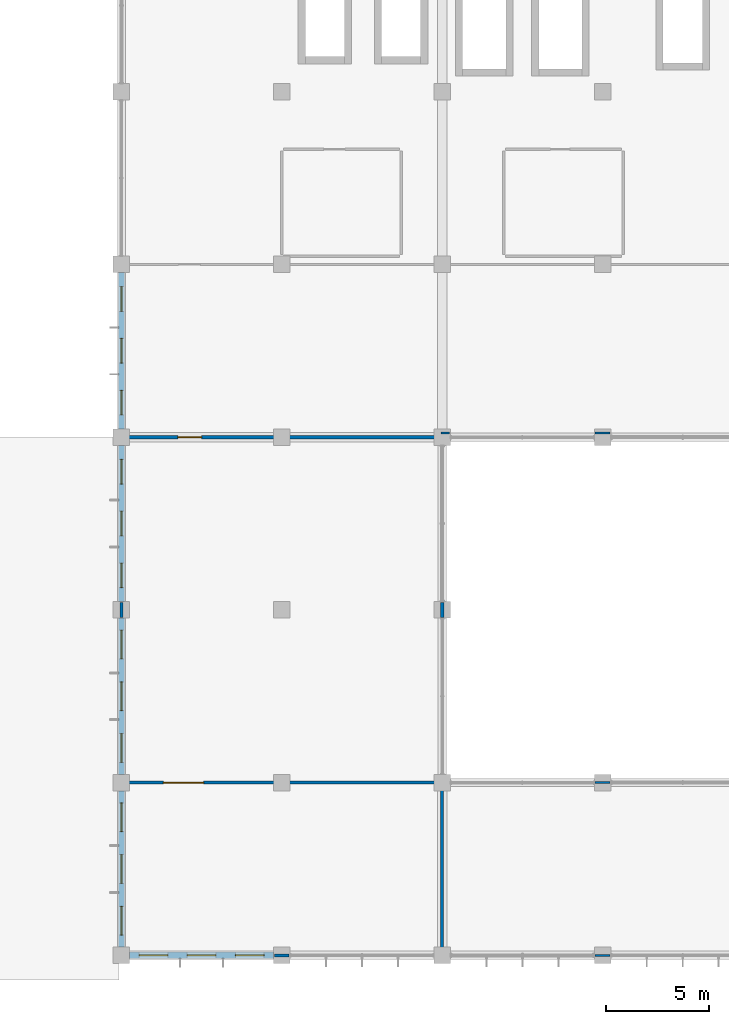
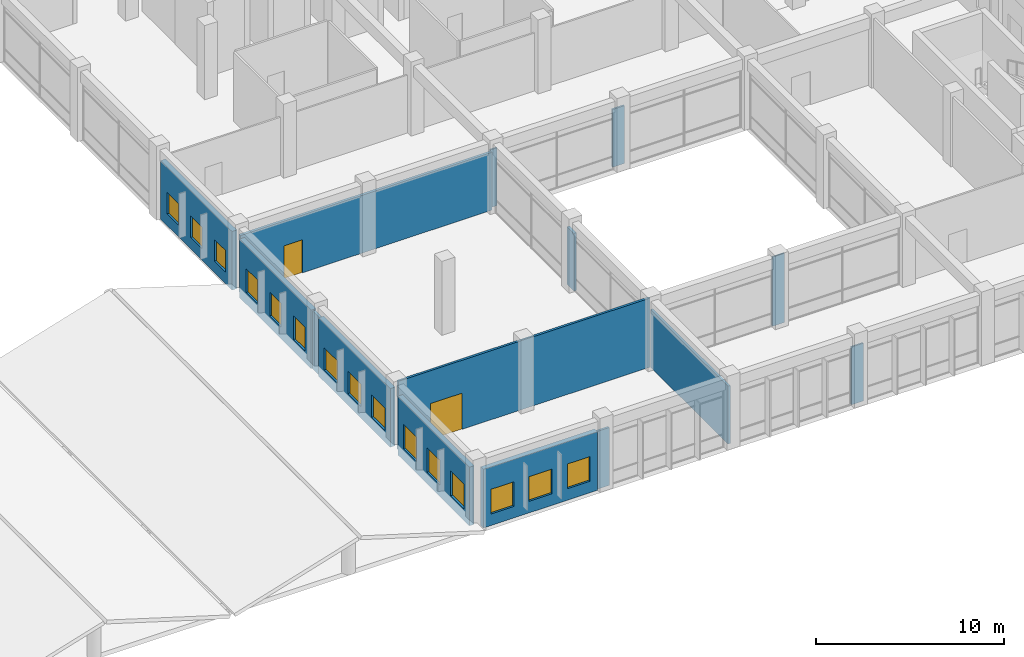
# One storey, part 42 of 62: 15 walls, 15 windows, 2 doors, 17 openings.
"""IFC4 building model written with IfcOpenShell, lengths in metres."""

from ifc_helpers import new_model, si_unit, direction, frame, frame_2d, origin, place, context, subcontext, project, spatial, rectangle, extrude, material, layer, layer_set, type_object, element, fill, save


model = new_model("IFC4")

# Units and contexts
model_context = context("Model", 3, precision=1e-05, world=origin(), true_north=direction((0.0, 1.0)))
body_context = subcontext(model_context, "Body", "Model", "MODEL_VIEW")
ifc_project = project(units=[si_unit("LENGTHUNIT", "METRE"), si_unit("AREAUNIT", "SQUARE_METRE"), si_unit("VOLUMEUNIT", "CUBIC_METRE"), si_unit("PLANEANGLEUNIT", "RADIAN"), si_unit("MASSUNIT", "GRAM", prefix="KILO"), si_unit("THERMODYNAMICTEMPERATUREUNIT", "KELVIN"), si_unit("POWERUNIT", "WATT")], contexts=[model_context])

# Site, building, storey
site_placement = place(None, origin())
site = spatial("IfcSite", under=ifc_project, at=site_placement, CompositionType="ELEMENT")
building_placement = place(site_placement, origin())
building = spatial("IfcBuilding", under=site, at=building_placement, Name="Srebrne Nadtorze General Hospital", CompositionType="ELEMENT")
storey_placement = place(building_placement, frame((0.0, 0.0, 9.60009765625)))
storey = spatial("IfcBuildingStorey", under=building, at=storey_placement, Name="L02", CompositionType="ELEMENT", Elevation=9.60009765625)

# Wall, opening, door
ifc_material_1 = material(Name="Gypsum Healthcare Partition")
ifc_layer_1 = layer(ifc_material_1, 0.139892578125)
ifc_layer_set_1 = layer_set([ifc_layer_1], Name="Gypsum Healthcare Partition")
wall_type_1 = type_object("IfcWallType", Name="Clinical partition 140", PredefinedType="PARTITIONING", material=ifc_layer_set_1)
wall_1_placement = place(storey_placement, frame((101.485107421875, 8.39990234375, 0.0), z_axis=(0.0, 0.0, 1.0), x_axis=(1.0, 0.0, 0.0)))
wall_1 = element("IfcWall", 1, at=wall_1_placement, inside=storey, type_object=wall_type_1, Name="Outpatient Orthopaedics Clinic wall WL-INT-L02-1550", PredefinedType="PARTITIONING", context=body_context, shape_type="SweptSolid", body=[
    extrude(rectangle(XDim=15.429931640625, YDim=0.139892578125, at=frame_2d((7.71484375, 0.0))), origin(), (0.0, 0.0, 1.0), 4.47998046875),
])
opening_1_placement = place(wall_1_placement, frame((1.9580078125, 0.0, 0.0)))
opening_1 = element("IfcOpeningElement", 2, at=opening_1_placement, cuts=wall_1, Name="Opening D-L02-0251", PredefinedType="OPENING", context=body_context, shape_type="SweptSolid", body=[
    extrude(rectangle(XDim=1.949951171875, YDim=2.35009765625, at=frame_2d((0.97509765625, 1.175048828125))), frame((0.0, 0.08203125, 0.0), z_axis=(0.0, -1.0, 0.0), x_axis=(1.0, 0.0, 0.0)), (0.0, 0.0, 1.0), 0.163818359375),
])
ifc_material_2 = material(Name="Anodised Aluminium", Category="aluminium")
door_type_1 = type_object("IfcDoorType", Name="Double leaf door 1950x2350", OperationType="DOUBLE_DOOR_SINGLE_SWING", PredefinedType="DOOR", material=ifc_material_2)
door_1_placement = place(opening_1_placement, frame((1.949951171875, 0.0, 0.0), z_axis=(0.0, 0.0, 1.0), x_axis=(-1.0, 0.0, 0.0)))
door_1 = element("IfcDoor", 3, at=door_1_placement, inside=storey, type_object=door_type_1, Name="Outpatient Orthopaedics Clinic door D-L02-0251", OperationType="DOUBLE_DOOR_SINGLE_SWING", OverallHeight=2.35009765625, OverallWidth=1.949951171875, PredefinedType="DOOR", context=body_context, shape_type="SweptSolid", body=[
    extrude(rectangle(XDim=1.949951171875, YDim=2.35009765625, at=frame_2d((0.97509765625, 1.175048828125))), frame((0.0, 0.02490234375, 0.0), z_axis=(0.0, -1.0, 0.0), x_axis=(1.0, 0.0, 0.0)), (0.0, 0.0, 1.0), 0.050048828125),
])
fill(opening_1, door_1)

# Walls
wall_2_placement = place(storey_placement, frame((108.840087890625, 0.0, 0.0), z_axis=(0.0, 0.0, 1.0), x_axis=(1.0, 0.0, 0.0)))
element("IfcWall", 4, at=wall_2_placement, inside=storey, type_object=wall_type_1, Name="Outpatient Orthopaedics Clinic wall WL-INT-L02-1551", PredefinedType="PARTITIONING", context=body_context, shape_type="SweptSolid", body=[
    extrude(rectangle(XDim=0.719970703125, YDim=0.139892578125, at=frame_2d((0.35986328125, 0.0))), origin(), (0.0, 0.0, 1.0), 3.75),
])
wall_3_placement = place(storey_placement, frame((117.0, 0.0849609375, 0.0), z_axis=(0.0, 0.0, 1.0), x_axis=(0.0, 1.0, 0.0)))
element("IfcWall", 5, at=wall_3_placement, inside=storey, type_object=wall_type_1, Name="Outpatient Orthopaedics Clinic wall WL-INT-L02-1552", PredefinedType="PARTITIONING", context=body_context, shape_type="SweptSolid", body=[
    extrude(rectangle(XDim=8.22998046875, YDim=0.139892578125, at=frame_2d((4.114990234375, 0.0))), origin(), (0.0, 0.0, 1.0), 3.75),
])

# Wall, opening, door
ifc_material_3 = material(Name="Gypsum Healthcare Partition")
ifc_layer_2 = layer(ifc_material_3, 0.159912109375)
ifc_layer_set_2 = layer_set([ifc_layer_2], Name="Gypsum Healthcare Partition")
wall_type_2 = type_object("IfcWallType", Name="Clinical partition 160", PredefinedType="PARTITIONING", material=ifc_layer_set_2)
wall_4_placement = place(storey_placement, frame((101.485107421875, 25.199951171875, 0.0), z_axis=(0.0, 0.0, 1.0), x_axis=(1.0, 0.0, 0.0)))
wall_4 = element("IfcWall", 6, at=wall_4_placement, inside=storey, type_object=wall_type_2, Name="Outpatient Obstetrics and Antenatal Clinic wall WL-INT-L02-1558", PredefinedType="PARTITIONING", context=body_context, shape_type="SweptSolid", body=[
    extrude(rectangle(XDim=15.429931640625, YDim=0.159912109375, at=frame_2d((7.71484375, 0.0))), origin(), (0.0, 0.0, 1.0), 3.75),
])
opening_2_placement = place(wall_4_placement, frame((2.66162109375, 0.0, 0.0)))
opening_2 = element("IfcOpeningElement", 7, at=opening_2_placement, cuts=wall_4, Name="Opening D-L02-0253", PredefinedType="OPENING", context=body_context, shape_type="SweptSolid", body=[
    extrude(rectangle(XDim=1.14990234375, YDim=2.14990234375, at=frame_2d((0.574951171875, 1.074951171875))), frame((0.0, 0.091796875, 0.0), z_axis=(0.0, -1.0, 0.0), x_axis=(1.0, 0.0, 0.0)), (0.0, 0.0, 1.0), 0.183837890625),
])
ifc_material_4 = material(Name="Anodised Aluminium", Category="aluminium")
door_type_2 = type_object("IfcDoorType", Name="Single leaf door 1150x2150", OperationType="NOTDEFINED", PredefinedType="DOOR", material=ifc_material_4)
door_2_placement = place(opening_2_placement, frame((1.14990234375, 0.0, 0.0), z_axis=(0.0, 0.0, 1.0), x_axis=(-1.0, 0.0, 0.0)))
door_2 = element("IfcDoor", 8, at=door_2_placement, inside=storey, type_object=door_type_2, Name="Outpatient Obstetrics and Antenatal Clinic door D-L02-0253", OperationType="SINGLE_SWING_RIGHT", OverallHeight=2.14990234375, OverallWidth=1.14990234375, PredefinedType="DOOR", context=body_context, shape_type="SweptSolid", body=[
    extrude(rectangle(XDim=1.14990234375, YDim=2.14990234375, at=frame_2d((0.574951171875, 1.074951171875))), frame((0.0, 0.02490234375, 0.0), z_axis=(0.0, -1.0, 0.0), x_axis=(1.0, 0.0, 0.0)), (0.0, 0.0, 1.0), 0.050048828125),
])
fill(opening_2, door_2)

# Walls
for number, where, z_axis, x_axis, name in (
    (9, (101.39990234375, 16.43994140625, 0.0), (0.0, 0.0, 1.0), (0.0, 1.0, 0.0), "Outpatient Obstetrics and Antenatal Clinic wall WL-INT-L02-1559"),
    (10, (117.0, 16.43994140625, 0.0), (0.0, 0.0, 1.0), (0.0, 1.0, 0.0), "Outpatient Obstetrics and Antenatal Clinic wall WL-INT-L02-1560"),
):
    element("IfcWall", number, at=place(storey_placement, frame(where, z_axis=z_axis, x_axis=x_axis)), inside=storey, type_object=wall_type_2, Name=name, PredefinedType="PARTITIONING", context=body_context, shape_type="SweptSolid", body=[
        extrude(rectangle(XDim=0.719970703125, YDim=0.159912109375, at=frame_2d((0.35986328125, 0.0))), origin(), (0.0, 0.0, 1.0), 3.75),
    ])

# Wall, openings, windows
ifc_material_5 = material(Name="Concrete C40/50 precast", Category="concrete")
ifc_layer_3 = layer(ifc_material_5, 0.300048828125)
ifc_layer_set_3 = layer_set([ifc_layer_3], Name="Concrete C40/50 precast")
wall_type_3 = type_object("IfcWallType", Name="Limestone precast wall 300", PredefinedType="STANDARD", material=ifc_layer_set_3)
wall_5_placement = place(storey_placement, frame((101.800048828125, 0.0, 0.0), z_axis=(0.0, 0.0, 1.0), x_axis=(1.0, 0.0, 0.0)))
wall_5 = element("IfcWall", 11, at=wall_5_placement, inside=storey, type_object=wall_type_3, Name="Exterior wall WL-ENV-L02-0218", PredefinedType="STANDARD", context=body_context, shape_type="SweptSolid", body=[
    extrude(rectangle(XDim=7.0, YDim=0.300048828125, at=frame_2d((3.5, 0.0))), origin(), (0.0, 0.0, 1.0), 3.7998046875),
])
opening_3_placement = place(wall_5_placement, frame((0.4599609375, 0.0, 0.75)))
opening_3 = element("IfcOpeningElement", 12, at=opening_3_placement, cuts=wall_5, Name="Opening WN-L02-0258", PredefinedType="OPENING", context=body_context, shape_type="SweptSolid", body=[
    extrude(rectangle(XDim=1.39990234375, YDim=1.60009765625, at=frame_2d((0.699951171875, 0.800048828125))), frame((0.0, 0.162109375, 0.0), z_axis=(0.0, -1.0, 0.0), x_axis=(1.0, 0.0, 0.0)), (0.0, 0.0, 1.0), 0.323974609375),
])
opening_4_placement = place(wall_5_placement, frame((2.800048828125, 0.0, 0.75)))
opening_4 = element("IfcOpeningElement", 13, at=opening_4_placement, cuts=wall_5, Name="Opening WN-L02-0259", PredefinedType="OPENING", context=body_context, shape_type="SweptSolid", body=[
    extrude(rectangle(XDim=1.39990234375, YDim=1.60009765625, at=frame_2d((0.699951171875, 0.800048828125))), frame((0.0, 0.162109375, 0.0), z_axis=(0.0, -1.0, 0.0), x_axis=(1.0, 0.0, 0.0)), (0.0, 0.0, 1.0), 0.323974609375),
])
opening_5_placement = place(wall_5_placement, frame((5.139892578125, 0.0, 0.75)))
opening_5 = element("IfcOpeningElement", 14, at=opening_5_placement, cuts=wall_5, Name="Opening WN-L02-0260", PredefinedType="OPENING", context=body_context, shape_type="SweptSolid", body=[
    extrude(rectangle(XDim=1.39990234375, YDim=1.60009765625, at=frame_2d((0.699951171875, 0.800048828125))), frame((0.0, 0.162109375, 0.0), z_axis=(0.0, -1.0, 0.0), x_axis=(1.0, 0.0, 0.0)), (0.0, 0.0, 1.0), 0.323974609375),
])
ifc_material_6 = material(Name="Triple Low-E Glazing", Category="glass")
window_type_1 = type_object("IfcWindowType", Name="Punched clinical window 1400x1600", PartitioningType="SINGLE_PANEL", PredefinedType="WINDOW", material=ifc_material_6)
window_1_placement = place(opening_3_placement, origin())
window_1 = element("IfcWindow", 15, at=window_1_placement, inside=storey, type_object=window_type_1, Name="Clinical window WN-L02-0258", OverallHeight=1.60009765625, OverallWidth=1.39990234375, PartitioningType="SINGLE_PANEL", PredefinedType="WINDOW", context=body_context, shape_type="SweptSolid", body=[
    extrude(rectangle(XDim=1.39990234375, YDim=1.60009765625, at=frame_2d((0.699951171875, 0.800048828125))), frame((0.0, 0.030029296875, 0.0), z_axis=(0.0, -1.0, 0.0), x_axis=(1.0, 0.0, 0.0)), (0.0, 0.0, 1.0), 0.06005859375),
])
fill(opening_3, window_1)
window_2_placement = place(opening_4_placement, origin())
window_2 = element("IfcWindow", 16, at=window_2_placement, inside=storey, type_object=window_type_1, Name="Clinical window WN-L02-0259", OverallHeight=1.60009765625, OverallWidth=1.39990234375, PartitioningType="SINGLE_PANEL", PredefinedType="WINDOW", context=body_context, shape_type="SweptSolid", body=[
    extrude(rectangle(XDim=1.39990234375, YDim=1.60009765625, at=frame_2d((0.699951171875, 0.800048828125))), frame((0.0, 0.030029296875, 0.0), z_axis=(0.0, -1.0, 0.0), x_axis=(1.0, 0.0, 0.0)), (0.0, 0.0, 1.0), 0.06005859375),
])
fill(opening_4, window_2)
window_3_placement = place(opening_5_placement, origin())
window_3 = element("IfcWindow", 17, at=window_3_placement, inside=storey, type_object=window_type_1, Name="Clinical window WN-L02-0260", OverallHeight=1.60009765625, OverallWidth=1.39990234375, PartitioningType="SINGLE_PANEL", PredefinedType="WINDOW", context=body_context, shape_type="SweptSolid", body=[
    extrude(rectangle(XDim=1.39990234375, YDim=1.60009765625, at=frame_2d((0.699951171875, 0.800048828125))), frame((0.0, 0.030029296875, 0.0), z_axis=(0.0, -1.0, 0.0), x_axis=(1.0, 0.0, 0.0)), (0.0, 0.0, 1.0), 0.06005859375),
])
fill(opening_5, window_3)

wall_6_placement = place(storey_placement, frame((101.39990234375, 0.39990234375, 0.0), z_axis=(0.0, 0.0, 1.0), x_axis=(0.0, 1.0, 0.0)))
wall_6 = element("IfcWall", 18, at=wall_6_placement, inside=storey, type_object=wall_type_3, Name="Exterior wall WL-ENV-L02-0263", PredefinedType="STANDARD", context=body_context, shape_type="SweptSolid", body=[
    extrude(rectangle(XDim=7.60009765625, YDim=0.300048828125, at=frame_2d((3.800048828125, 0.0))), origin(), (0.0, 0.0, 1.0), 3.7998046875),
])
opening_6_placement = place(wall_6_placement, frame((0.580078125, 0.0, 0.75)))
opening_6 = element("IfcOpeningElement", 19, at=opening_6_placement, cuts=wall_6, Name="Opening WN-L02-0340", PredefinedType="OPENING", context=body_context, shape_type="SweptSolid", body=[
    extrude(rectangle(XDim=1.39990234375, YDim=1.60009765625, at=frame_2d((0.699951171875, 0.800048828125))), frame((0.0, 0.162109375, 0.0), z_axis=(0.0, -1.0, 0.0), x_axis=(1.0, 0.0, 0.0)), (0.0, 0.0, 1.0), 0.323974609375),
])
opening_7_placement = place(wall_6_placement, frame((3.10009765625, 0.0, 0.75)))
opening_7 = element("IfcOpeningElement", 20, at=opening_7_placement, cuts=wall_6, Name="Opening WN-L02-0341", PredefinedType="OPENING", context=body_context, shape_type="SweptSolid", body=[
    extrude(rectangle(XDim=1.39990234375, YDim=1.60009765625, at=frame_2d((0.699951171875, 0.800048828125))), frame((0.0, 0.162109375, 0.0), z_axis=(0.0, -1.0, 0.0), x_axis=(1.0, 0.0, 0.0)), (0.0, 0.0, 1.0), 0.323974609375),
])
opening_8_placement = place(wall_6_placement, frame((5.6201171875, 0.0, 0.75)))
opening_8 = element("IfcOpeningElement", 21, at=opening_8_placement, cuts=wall_6, Name="Opening WN-L02-0342", PredefinedType="OPENING", context=body_context, shape_type="SweptSolid", body=[
    extrude(rectangle(XDim=1.39990234375, YDim=1.60009765625, at=frame_2d((0.699951171875, 0.800048828125))), frame((0.0, 0.162109375, 0.0), z_axis=(0.0, -1.0, 0.0), x_axis=(1.0, 0.0, 0.0)), (0.0, 0.0, 1.0), 0.323974609375),
])
window_4_placement = place(opening_6_placement, origin())
window_4 = element("IfcWindow", 22, at=window_4_placement, inside=storey, type_object=window_type_1, Name="Clinical window WN-L02-0340", OverallHeight=1.60009765625, OverallWidth=1.39990234375, PartitioningType="SINGLE_PANEL", PredefinedType="WINDOW", context=body_context, shape_type="SweptSolid", body=[
    extrude(rectangle(XDim=1.39990234375, YDim=1.60009765625, at=frame_2d((0.699951171875, 0.800048828125))), frame((0.0, 0.030029296875, 0.0), z_axis=(0.0, -1.0, 0.0), x_axis=(1.0, 0.0, 0.0)), (0.0, 0.0, 1.0), 0.06005859375),
])
fill(opening_6, window_4)
window_5_placement = place(opening_7_placement, origin())
window_5 = element("IfcWindow", 23, at=window_5_placement, inside=storey, type_object=window_type_1, Name="Clinical window WN-L02-0341", OverallHeight=1.60009765625, OverallWidth=1.39990234375, PartitioningType="SINGLE_PANEL", PredefinedType="WINDOW", context=body_context, shape_type="SweptSolid", body=[
    extrude(rectangle(XDim=1.39990234375, YDim=1.60009765625, at=frame_2d((0.699951171875, 0.800048828125))), frame((0.0, 0.030029296875, 0.0), z_axis=(0.0, -1.0, 0.0), x_axis=(1.0, 0.0, 0.0)), (0.0, 0.0, 1.0), 0.06005859375),
])
fill(opening_7, window_5)
window_6_placement = place(opening_8_placement, origin())
window_6 = element("IfcWindow", 24, at=window_6_placement, inside=storey, type_object=window_type_1, Name="Clinical window WN-L02-0342", OverallHeight=1.60009765625, OverallWidth=1.39990234375, PartitioningType="SINGLE_PANEL", PredefinedType="WINDOW", context=body_context, shape_type="SweptSolid", body=[
    extrude(rectangle(XDim=1.39990234375, YDim=1.60009765625, at=frame_2d((0.699951171875, 0.800048828125))), frame((0.0, 0.030029296875, 0.0), z_axis=(0.0, -1.0, 0.0), x_axis=(1.0, 0.0, 0.0)), (0.0, 0.0, 1.0), 0.06005859375),
])
fill(opening_8, window_6)

wall_7_placement = place(storey_placement, frame((101.39990234375, 8.800048828125, 0.0), z_axis=(0.0, 0.0, 1.0), x_axis=(0.0, 1.0, 0.0)))
wall_7 = element("IfcWall", 25, at=wall_7_placement, inside=storey, type_object=wall_type_3, Name="Exterior wall WL-ENV-L02-0264", PredefinedType="STANDARD", context=body_context, shape_type="SweptSolid", body=[
    extrude(rectangle(XDim=7.599853515625, YDim=0.300048828125, at=frame_2d((3.7998046875, 0.0))), origin(), (0.0, 0.0, 1.0), 3.7998046875),
])
opening_9_placement = place(wall_7_placement, frame((0.580078125, 0.0, 0.75)))
opening_9 = element("IfcOpeningElement", 26, at=opening_9_placement, cuts=wall_7, Name="Opening WN-L02-0343", PredefinedType="OPENING", context=body_context, shape_type="SweptSolid", body=[
    extrude(rectangle(XDim=1.39990234375, YDim=1.449951171875, at=frame_2d((0.699951171875, 0.72509765625))), frame((0.0, 0.162109375, 0.0), z_axis=(0.0, -1.0, 0.0), x_axis=(1.0, 0.0, 0.0)), (0.0, 0.0, 1.0), 0.323974609375),
])
opening_10_placement = place(wall_7_placement, frame((3.10009765625, 0.0, 0.75)))
opening_10 = element("IfcOpeningElement", 27, at=opening_10_placement, cuts=wall_7, Name="Opening WN-L02-0344", PredefinedType="OPENING", context=body_context, shape_type="SweptSolid", body=[
    extrude(rectangle(XDim=1.39990234375, YDim=1.449951171875, at=frame_2d((0.699951171875, 0.72509765625))), frame((0.0, 0.162109375, 0.0), z_axis=(0.0, -1.0, 0.0), x_axis=(1.0, 0.0, 0.0)), (0.0, 0.0, 1.0), 0.323974609375),
])
opening_11_placement = place(wall_7_placement, frame((5.6201171875, 0.0, 0.75)))
opening_11 = element("IfcOpeningElement", 28, at=opening_11_placement, cuts=wall_7, Name="Opening WN-L02-0345", PredefinedType="OPENING", context=body_context, shape_type="SweptSolid", body=[
    extrude(rectangle(XDim=1.39990234375, YDim=1.449951171875, at=frame_2d((0.699951171875, 0.72509765625))), frame((0.0, 0.162109375, 0.0), z_axis=(0.0, -1.0, 0.0), x_axis=(1.0, 0.0, 0.0)), (0.0, 0.0, 1.0), 0.323974609375),
])
ifc_material_7 = material(Name="Triple Low-E Glazing", Category="glass")
window_type_2 = type_object("IfcWindowType", Name="Punched clinical window 1400x1450", PartitioningType="SINGLE_PANEL", PredefinedType="WINDOW", material=ifc_material_7)
window_7_placement = place(opening_9_placement, origin())
window_7 = element("IfcWindow", 29, at=window_7_placement, inside=storey, type_object=window_type_2, Name="Clinical window WN-L02-0343", OverallHeight=1.449951171875, OverallWidth=1.39990234375, PartitioningType="SINGLE_PANEL", PredefinedType="WINDOW", context=body_context, shape_type="SweptSolid", body=[
    extrude(rectangle(XDim=1.39990234375, YDim=1.449951171875, at=frame_2d((0.699951171875, 0.72509765625))), frame((0.0, 0.030029296875, 0.0), z_axis=(0.0, -1.0, 0.0), x_axis=(1.0, 0.0, 0.0)), (0.0, 0.0, 1.0), 0.06005859375),
])
fill(opening_9, window_7)
window_8_placement = place(opening_10_placement, origin())
window_8 = element("IfcWindow", 30, at=window_8_placement, inside=storey, type_object=window_type_2, Name="Clinical window WN-L02-0344", OverallHeight=1.449951171875, OverallWidth=1.39990234375, PartitioningType="SINGLE_PANEL", PredefinedType="WINDOW", context=body_context, shape_type="SweptSolid", body=[
    extrude(rectangle(XDim=1.39990234375, YDim=1.449951171875, at=frame_2d((0.699951171875, 0.72509765625))), frame((0.0, 0.030029296875, 0.0), z_axis=(0.0, -1.0, 0.0), x_axis=(1.0, 0.0, 0.0)), (0.0, 0.0, 1.0), 0.06005859375),
])
fill(opening_10, window_8)
window_9_placement = place(opening_11_placement, origin())
window_9 = element("IfcWindow", 31, at=window_9_placement, inside=storey, type_object=window_type_2, Name="Clinical window WN-L02-0345", OverallHeight=1.449951171875, OverallWidth=1.39990234375, PartitioningType="SINGLE_PANEL", PredefinedType="WINDOW", context=body_context, shape_type="SweptSolid", body=[
    extrude(rectangle(XDim=1.39990234375, YDim=1.449951171875, at=frame_2d((0.699951171875, 0.72509765625))), frame((0.0, 0.030029296875, 0.0), z_axis=(0.0, -1.0, 0.0), x_axis=(1.0, 0.0, 0.0)), (0.0, 0.0, 1.0), 0.06005859375),
])
fill(opening_11, window_9)

wall_8_placement = place(storey_placement, frame((101.39990234375, 17.199951171875, 0.0), z_axis=(0.0, 0.0, 1.0), x_axis=(0.0, 1.0, 0.0)))
wall_8 = element("IfcWall", 32, at=wall_8_placement, inside=storey, type_object=wall_type_3, Name="Exterior wall WL-ENV-L02-0265", PredefinedType="STANDARD", context=body_context, shape_type="SweptSolid", body=[
    extrude(rectangle(XDim=7.60009765625, YDim=0.300048828125, at=frame_2d((3.800048828125, 0.0))), origin(), (0.0, 0.0, 1.0), 3.7998046875),
])
opening_12_placement = place(wall_8_placement, frame((0.679931640625, 0.0, 0.75)))
opening_12 = element("IfcOpeningElement", 33, at=opening_12_placement, cuts=wall_8, Name="Opening WN-L02-0346", PredefinedType="OPENING", context=body_context, shape_type="SweptSolid", body=[
    extrude(rectangle(XDim=1.199951171875, YDim=1.550048828125, at=frame_2d((0.60009765625, 0.77490234375))), frame((0.0, 0.162109375, 0.0), z_axis=(0.0, -1.0, 0.0), x_axis=(1.0, 0.0, 0.0)), (0.0, 0.0, 1.0), 0.323974609375),
])
opening_13_placement = place(wall_8_placement, frame((3.199951171875, 0.0, 0.75)))
opening_13 = element("IfcOpeningElement", 34, at=opening_13_placement, cuts=wall_8, Name="Opening WN-L02-0347", PredefinedType="OPENING", context=body_context, shape_type="SweptSolid", body=[
    extrude(rectangle(XDim=1.199951171875, YDim=1.550048828125, at=frame_2d((0.60009765625, 0.77490234375))), frame((0.0, 0.162109375, 0.0), z_axis=(0.0, -1.0, 0.0), x_axis=(1.0, 0.0, 0.0)), (0.0, 0.0, 1.0), 0.323974609375),
])
opening_14_placement = place(wall_8_placement, frame((5.719970703125, 0.0, 0.75)))
opening_14 = element("IfcOpeningElement", 35, at=opening_14_placement, cuts=wall_8, Name="Opening WN-L02-0348", PredefinedType="OPENING", context=body_context, shape_type="SweptSolid", body=[
    extrude(rectangle(XDim=1.199951171875, YDim=1.550048828125, at=frame_2d((0.60009765625, 0.77490234375))), frame((0.0, 0.162109375, 0.0), z_axis=(0.0, -1.0, 0.0), x_axis=(1.0, 0.0, 0.0)), (0.0, 0.0, 1.0), 0.323974609375),
])
ifc_material_8 = material(Name="Triple Low-E Glazing", Category="glass")
window_type_3 = type_object("IfcWindowType", Name="Punched clinical window 1200x1550", PartitioningType="SINGLE_PANEL", PredefinedType="WINDOW", material=ifc_material_8)
window_10_placement = place(opening_12_placement, origin())
window_10 = element("IfcWindow", 36, at=window_10_placement, inside=storey, type_object=window_type_3, Name="Clinical window WN-L02-0346", OverallHeight=1.550048828125, OverallWidth=1.199951171875, PartitioningType="SINGLE_PANEL", PredefinedType="WINDOW", context=body_context, shape_type="SweptSolid", body=[
    extrude(rectangle(XDim=1.199951171875, YDim=1.550048828125, at=frame_2d((0.60009765625, 0.77490234375))), frame((0.0, 0.030029296875, 0.0), z_axis=(0.0, -1.0, 0.0), x_axis=(1.0, 0.0, 0.0)), (0.0, 0.0, 1.0), 0.06005859375),
])
fill(opening_12, window_10)
window_11_placement = place(opening_13_placement, origin())
window_11 = element("IfcWindow", 37, at=window_11_placement, inside=storey, type_object=window_type_3, Name="Clinical window WN-L02-0347", OverallHeight=1.550048828125, OverallWidth=1.199951171875, PartitioningType="SINGLE_PANEL", PredefinedType="WINDOW", context=body_context, shape_type="SweptSolid", body=[
    extrude(rectangle(XDim=1.199951171875, YDim=1.550048828125, at=frame_2d((0.60009765625, 0.77490234375))), frame((0.0, 0.030029296875, 0.0), z_axis=(0.0, -1.0, 0.0), x_axis=(1.0, 0.0, 0.0)), (0.0, 0.0, 1.0), 0.06005859375),
])
fill(opening_13, window_11)
window_12_placement = place(opening_14_placement, origin())
window_12 = element("IfcWindow", 38, at=window_12_placement, inside=storey, type_object=window_type_3, Name="Clinical window WN-L02-0348", OverallHeight=1.550048828125, OverallWidth=1.199951171875, PartitioningType="SINGLE_PANEL", PredefinedType="WINDOW", context=body_context, shape_type="SweptSolid", body=[
    extrude(rectangle(XDim=1.199951171875, YDim=1.550048828125, at=frame_2d((0.60009765625, 0.77490234375))), frame((0.0, 0.030029296875, 0.0), z_axis=(0.0, -1.0, 0.0), x_axis=(1.0, 0.0, 0.0)), (0.0, 0.0, 1.0), 0.06005859375),
])
fill(opening_14, window_12)

wall_9_placement = place(storey_placement, frame((101.39990234375, 25.60009765625, 0.0), z_axis=(0.0, 0.0, 1.0), x_axis=(0.0, 1.0, 0.0)))
wall_9 = element("IfcWall", 39, at=wall_9_placement, inside=storey, type_object=wall_type_3, Name="Exterior wall WL-ENV-L02-0266", PredefinedType="STANDARD", context=body_context, shape_type="SweptSolid", body=[
    extrude(rectangle(XDim=7.599853515625, YDim=0.300048828125, at=frame_2d((3.7998046875, 0.0))), origin(), (0.0, 0.0, 1.0), 3.7998046875),
])
opening_15_placement = place(wall_9_placement, frame((0.679931640625, 0.0, 0.75)))
opening_15 = element("IfcOpeningElement", 40, at=opening_15_placement, cuts=wall_9, Name="Opening WN-L02-0349", PredefinedType="OPENING", context=body_context, shape_type="SweptSolid", body=[
    extrude(rectangle(XDim=1.199951171875, YDim=1.39990234375, at=frame_2d((0.60009765625, 0.699951171875))), frame((0.0, 0.162109375, 0.0), z_axis=(0.0, -1.0, 0.0), x_axis=(1.0, 0.0, 0.0)), (0.0, 0.0, 1.0), 0.323974609375),
])
opening_16_placement = place(wall_9_placement, frame((3.199951171875, 0.0, 0.75)))
opening_16 = element("IfcOpeningElement", 41, at=opening_16_placement, cuts=wall_9, Name="Opening WN-L02-0350", PredefinedType="OPENING", context=body_context, shape_type="SweptSolid", body=[
    extrude(rectangle(XDim=1.199951171875, YDim=1.39990234375, at=frame_2d((0.60009765625, 0.699951171875))), frame((0.0, 0.162109375, 0.0), z_axis=(0.0, -1.0, 0.0), x_axis=(1.0, 0.0, 0.0)), (0.0, 0.0, 1.0), 0.323974609375),
])
opening_17_placement = place(wall_9_placement, frame((5.719970703125, 0.0, 0.75)))
opening_17 = element("IfcOpeningElement", 42, at=opening_17_placement, cuts=wall_9, Name="Opening WN-L02-0351", PredefinedType="OPENING", context=body_context, shape_type="SweptSolid", body=[
    extrude(rectangle(XDim=1.199951171875, YDim=1.39990234375, at=frame_2d((0.60009765625, 0.699951171875))), frame((0.0, 0.162109375, 0.0), z_axis=(0.0, -1.0, 0.0), x_axis=(1.0, 0.0, 0.0)), (0.0, 0.0, 1.0), 0.323974609375),
])
ifc_material_9 = material(Name="Triple Low-E Glazing", Category="glass")
window_type_4 = type_object("IfcWindowType", Name="Punched clinical window 1200x1400", PartitioningType="SINGLE_PANEL", PredefinedType="WINDOW", material=ifc_material_9)
window_13_placement = place(opening_15_placement, origin())
window_13 = element("IfcWindow", 43, at=window_13_placement, inside=storey, type_object=window_type_4, Name="Clinical window WN-L02-0349", OverallHeight=1.39990234375, OverallWidth=1.199951171875, PartitioningType="SINGLE_PANEL", PredefinedType="WINDOW", context=body_context, shape_type="SweptSolid", body=[
    extrude(rectangle(XDim=1.199951171875, YDim=1.39990234375, at=frame_2d((0.60009765625, 0.699951171875))), frame((0.0, 0.030029296875, 0.0), z_axis=(0.0, -1.0, 0.0), x_axis=(1.0, 0.0, 0.0)), (0.0, 0.0, 1.0), 0.06005859375),
])
fill(opening_15, window_13)
window_14_placement = place(opening_16_placement, origin())
window_14 = element("IfcWindow", 44, at=window_14_placement, inside=storey, type_object=window_type_4, Name="Clinical window WN-L02-0350", OverallHeight=1.39990234375, OverallWidth=1.199951171875, PartitioningType="SINGLE_PANEL", PredefinedType="WINDOW", context=body_context, shape_type="SweptSolid", body=[
    extrude(rectangle(XDim=1.199951171875, YDim=1.39990234375, at=frame_2d((0.60009765625, 0.699951171875))), frame((0.0, 0.030029296875, 0.0), z_axis=(0.0, -1.0, 0.0), x_axis=(1.0, 0.0, 0.0)), (0.0, 0.0, 1.0), 0.06005859375),
])
fill(opening_16, window_14)
window_15_placement = place(opening_17_placement, origin())
window_15 = element("IfcWindow", 45, at=window_15_placement, inside=storey, type_object=window_type_4, Name="Clinical window WN-L02-0351", OverallHeight=1.39990234375, OverallWidth=1.199951171875, PartitioningType="SINGLE_PANEL", PredefinedType="WINDOW", context=body_context, shape_type="SweptSolid", body=[
    extrude(rectangle(XDim=1.199951171875, YDim=1.39990234375, at=frame_2d((0.60009765625, 0.699951171875))), frame((0.0, 0.030029296875, 0.0), z_axis=(0.0, -1.0, 0.0), x_axis=(1.0, 0.0, 0.0)), (0.0, 0.0, 1.0), 0.06005859375),
])
fill(opening_17, window_15)

# Walls
ifc_material_10 = material(Name="Gypsum Healthcare Partition")
ifc_layer_4 = layer(ifc_material_10, 0.10009765625)
ifc_layer_set_4 = layer_set([ifc_layer_4], Name="Gypsum Healthcare Partition")
wall_type_4 = type_object("IfcWallType", Name="Shaft lining wall 100", PredefinedType="PARTITIONING", material=ifc_layer_set_4)
wall_10_placement = place(storey_placement, frame((124.43994140625, 8.39990234375, 0.0), z_axis=(0.0, 0.0, 1.0), x_axis=(1.0, 0.0, 0.0)))
element("IfcWall", 46, at=wall_10_placement, inside=storey, type_object=wall_type_4, Name="Outpatient Paediatrics Clinic wall WL-INT-L02-1553", PredefinedType="PARTITIONING", context=body_context, shape_type="SweptSolid", body=[
    extrude(rectangle(XDim=0.719970703125, YDim=0.10009765625, at=frame_2d((0.35986328125, 0.0))), origin(), (0.0, 0.0, 1.0), 4.47998046875),
])
wall_11_placement = place(storey_placement, frame((124.43994140625, 0.0, 0.0), z_axis=(0.0, 0.0, 1.0), x_axis=(1.0, 0.0, 0.0)))
element("IfcWall", 47, at=wall_11_placement, inside=storey, type_object=wall_type_4, Name="Outpatient Paediatrics Clinic wall WL-INT-L02-1555", PredefinedType="PARTITIONING", context=body_context, shape_type="SweptSolid", body=[
    extrude(rectangle(XDim=0.719970703125, YDim=0.10009765625, at=frame_2d((0.35986328125, 0.0))), origin(), (0.0, 0.0, 1.0), 3.75),
])
wall_12_placement = place(storey_placement, frame((116.955078125, 25.39990234375, 0.0), z_axis=(0.0, 0.0, 1.0), x_axis=(1.0, 0.0, 0.0)))
element("IfcWall", 48, at=wall_12_placement, inside=storey, type_object=wall_type_4, Name="Outpatient Maternal Fetal Medicine Clinic wall WL-INT-L02-1564", PredefinedType="PARTITIONING", context=body_context, shape_type="SweptSolid", body=[
    extrude(rectangle(XDim=0.405029296875, YDim=0.10009765625, at=frame_2d((0.20263671875, 0.0))), origin(), (0.0, 0.0, 1.0), 3.75),
])
wall_13_placement = place(storey_placement, frame((124.43994140625, 25.39990234375, 0.0), z_axis=(0.0, 0.0, 1.0), x_axis=(1.0, 0.0, 0.0)))
element("IfcWall", 49, at=wall_13_placement, inside=storey, type_object=wall_type_4, Name="Outpatient Maternal Fetal Medicine Clinic wall WL-INT-L02-1565", PredefinedType="PARTITIONING", context=body_context, shape_type="SweptSolid", body=[
    extrude(rectangle(XDim=0.719970703125, YDim=0.10009765625, at=frame_2d((0.35986328125, 0.0))), origin(), (0.0, 0.0, 1.0), 3.75),
])

save(model, "model.ifc")
